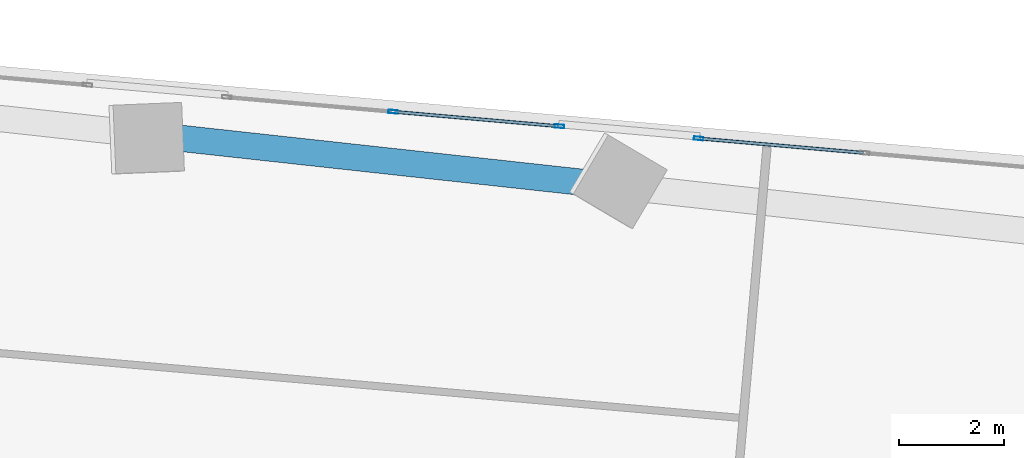
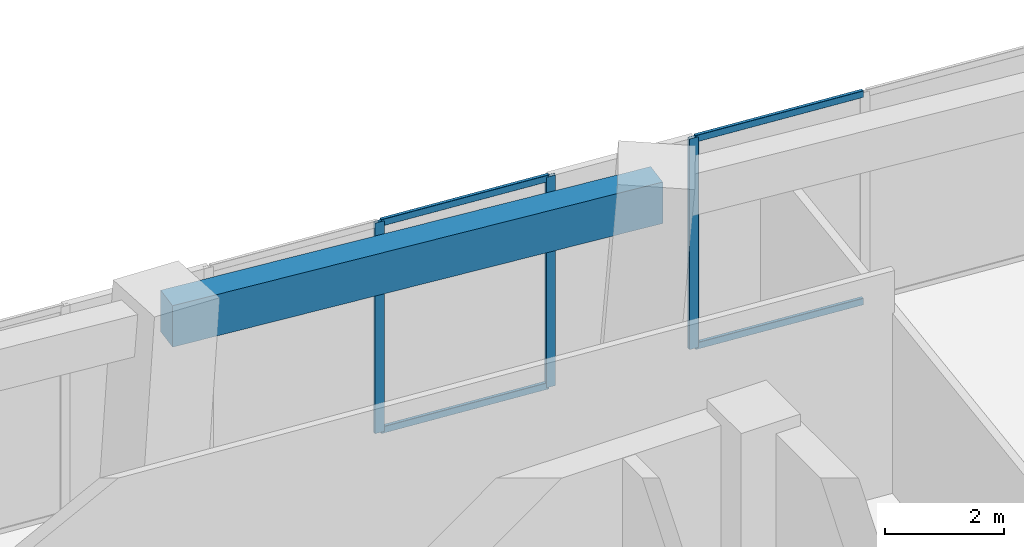
# One storey, part 16 of 24: 7 members, 1 beam, 2 elements without a shape of their own.
"""IFC4 building model written with IfcOpenShell, lengths in metres."""

from ifc_helpers import new_model, si_unit, direction, frame, origin, origin_2d, place, context, subcontext, project, spatial, rectangle, hollow_rectangle, extrude, source, transform, mapped, material, material_profile, profile_set, type_object, element, aggregate, save


model = new_model("IFC4")

# Units and contexts
model_context = context("Model", 3, precision=1e-05, world=origin(), true_north=direction((0.0, 1.0)))
body_context = subcontext(model_context, "Body", "Model", "MODEL_VIEW")
ifc_project = project(units=[si_unit("LENGTHUNIT", "METRE"), si_unit("AREAUNIT", "SQUARE_METRE"), si_unit("VOLUMEUNIT", "CUBIC_METRE"), si_unit("PLANEANGLEUNIT", "RADIAN"), si_unit("MASSUNIT", "GRAM", prefix="KILO")], contexts=[model_context])

# Site, building, storey
site_placement = place(None, origin())
site = spatial("IfcSite", under=ifc_project, at=site_placement, CompositionType="ELEMENT")
building_placement = place(site_placement, origin())
building = spatial("IfcBuilding", under=site, at=building_placement, Name="Torre Montelarca", CompositionType="ELEMENT")
storey_placement = place(building_placement, frame((0.0, 0.0, 52.0)))
storey = spatial("IfcBuildingStorey", under=building, at=storey_placement, Name="L11", CompositionType="ELEMENT", Elevation=52.0)

# Beam
ifc_material_1 = material(Name="Concrete C55/67", Category="concrete")
ifc_material_profile_1 = material_profile(ifc_material_1, rectangle(XDim=0.5, YDim=0.85009765625, at=origin_2d()), Name="RCB500X850", Category="concrete")
ifc_profile_set_1 = profile_set([ifc_material_profile_1], Name="Concrete C55/67")
beam_type = type_object("IfcBeamType", Name="BM-SP-RC850-EXT", PredefinedType="SPANDREL", material=ifc_profile_set_1)
shared_shape_1 = source(origin(), body_context, "Body", "SweptSolid", [
    extrude(rectangle(XDim=0.5, YDim=0.85009765625, at=origin_2d()), origin(), (0.0, 0.0, 1.0), 9.0),
])
beam_placement = place(storey_placement, frame((19.670166015625, 47.44091796875, 4.135009765625), z_axis=(0.994057160788, -0.108859363794, 0.0), x_axis=(0.108859363794, 0.994057160788, 0.0)))
element("IfcBeam", 1, at=beam_placement, inside=storey, type_object=beam_type, Name="L11 Grid Girder X 18.0-27.0 at Y=47.1", PredefinedType="SPANDREL", context=body_context, shape_type="MappedRepresentation", body=[
    mapped(shared_shape_1, transform((0.0, 0.0, 0.0), scale=1.0)),
])

# Curtain wall, member
ifc_material_2 = material(Name="Insulated low-E laminated glass", Category="glass")
curtain_wall_type = type_object("IfcCurtainWallType", Name="CW-SYS-Z1", PredefinedType="USERDEFINED", material=ifc_material_2)
curtain_wall_1_placement = place(storey_placement, origin())
curtain_wall_1 = element("IfcCurtainWall", 2, at=curtain_wall_1_placement, inside=storey, type_object=curtain_wall_type, Name="L11 Curtain Wall Run CW-T3-L11-E08-B2", ObjectType="UNITISED GLAZING", PredefinedType="USERDEFINED")
ifc_material_3 = material(Name="Anodised aluminium AA 6063-T6", Category="aluminium")
ifc_material_profile_2 = material_profile(ifc_material_3, hollow_rectangle(XDim=0.06494140625, YDim=0.179931640625, WallThickness=0.00390625, InnerFilletRadius=0.00390625, OuterFilletRadius=0.008056640625, at=origin_2d()), Name="ALU65X180X4", Category="aluminium")
ifc_profile_set_2 = profile_set([ifc_material_profile_2], Name="Anodised aluminium AA 6063-T6")
member_type_1 = type_object("IfcMemberType", Name="CWM-ALU180", PredefinedType="MULLION", material=ifc_profile_set_2)
shared_shape_2 = source(origin(), body_context, "Body", "SweptSolid", [
    extrude(hollow_rectangle(XDim=0.06494140625, YDim=0.179931640625, WallThickness=0.00390625, InnerFilletRadius=0.00390625, OuterFilletRadius=0.008056640625, at=origin_2d()), origin(), (0.0, 0.0, 1.0), 4.320068359375),
])
member_1_placement = place(storey_placement, frame((29.86572265625, 47.3994140625, 0.0), z_axis=(0.0, 0.0, 1.0), x_axis=(-0.087149922072, -0.996195207318, 0.0)))
member_1 = element("IfcMember", 3, at=member_1_placement, type_object=member_type_1, Name="CW mullion 3", PredefinedType="MULLION", context=body_context, shape_type="MappedRepresentation", body=[
    mapped(shared_shape_2, transform((0.0, 0.0, 0.0), scale=1.0)),
])

# Curtain wall, members
curtain_wall_2_placement = place(storey_placement, origin())
curtain_wall_2 = element("IfcCurtainWall", 4, at=curtain_wall_2_placement, inside=storey, type_object=curtain_wall_type, Name="L11 Curtain Wall Run CW-T3-L11-E08-B3", ObjectType="UNITISED GLAZING", PredefinedType="USERDEFINED")
member_2_placement = place(storey_placement, frame((27.2216796875, 47.630859375, 0.0), z_axis=(0.0, 0.0, 1.0), x_axis=(-0.087161530525, -0.99619419171, 0.0)))
member_2 = element("IfcMember", 5, at=member_2_placement, type_object=member_type_1, Name="CW mullion 1", PredefinedType="MULLION", context=body_context, shape_type="MappedRepresentation", body=[
    mapped(shared_shape_2, transform((0.0, 0.0, 0.0), scale=1.0)),
])
member_3_placement = place(storey_placement, frame((24.061767578125, 47.9072265625, 0.0), z_axis=(0.0, 0.0, 1.0), x_axis=(-0.087161530525, -0.99619419171, 0.0)))
member_3 = element("IfcMember", 6, at=member_3_placement, type_object=member_type_1, Name="CW mullion 2", PredefinedType="MULLION", context=body_context, shape_type="MappedRepresentation", body=[
    mapped(shared_shape_2, transform((0.0, 0.0, 0.0), scale=1.0)),
])

# Member
ifc_material_profile_3 = material_profile(ifc_material_3, hollow_rectangle(XDim=0.06494140625, YDim=0.139892578125, WallThickness=0.00390625, InnerFilletRadius=0.00390625, OuterFilletRadius=0.008056640625, at=origin_2d()), Name="ALU65X140X4", Category="aluminium")
ifc_profile_set_3 = profile_set([ifc_material_profile_3], Name="Anodised aluminium AA 6063-T6")
member_type_2 = type_object("IfcMemberType", Name="CWT-ALU140", PredefinedType="USERDEFINED", material=ifc_profile_set_3)
shared_shape_3 = source(origin(), body_context, "Body", "SweptSolid", [
    extrude(hollow_rectangle(XDim=0.06494140625, YDim=0.139892578125, WallThickness=0.00390625, InnerFilletRadius=0.00390625, OuterFilletRadius=0.008056640625, at=origin_2d()), origin(), (0.0, 0.0, 1.0), 3.10791015625),
])
member_4_placement = place(storey_placement, frame((32.994140625, 47.125732421875, 0.032470703125), z_axis=(-0.996191500335, 0.087192285552, 0.0), x_axis=(-0.087192285552, -0.996191500335, 0.0)))
member_4 = element("IfcMember", 7, at=member_4_placement, type_object=member_type_2, Name="CW transom 2.1", ObjectType="TRANSOM", PredefinedType="USERDEFINED", context=body_context, shape_type="MappedRepresentation", body=[
    mapped(shared_shape_3, transform((0.0, 0.0, 0.0), scale=1.0)),
])

member_5_placement = place(storey_placement, frame((32.994140625, 47.125732421875, 4.28759765625), z_axis=(-0.996191500335, 0.087192285552, 0.0), x_axis=(-0.087192285552, -0.996191500335, 0.0)))
member_5 = element("IfcMember", 8, at=member_5_placement, type_object=member_type_2, Name="CW transom 2.2", ObjectType="TRANSOM", PredefinedType="USERDEFINED", context=body_context, shape_type="MappedRepresentation", body=[
    mapped(shared_shape_3, transform((0.0, 0.0, 0.0), scale=1.0)),
])

aggregate(curtain_wall_1, [member_1, member_4, member_5])

shared_shape_4 = source(origin(), body_context, "Body", "SweptSolid", [
    extrude(hollow_rectangle(XDim=0.06494140625, YDim=0.139892578125, WallThickness=0.00390625, InnerFilletRadius=0.00390625, OuterFilletRadius=0.008056640625, at=origin_2d()), origin(), (0.0, 0.0, 1.0), 3.10693359375),
])
member_6_placement = place(storey_placement, frame((27.189208984375, 47.633544921875, 0.032470703125), z_axis=(-0.996188512641, 0.087226413902, 0.0), x_axis=(-0.087226413902, -0.996188512641, 0.0)))
member_6 = element("IfcMember", 9, at=member_6_placement, type_object=member_type_2, Name="CW transom 1.1", ObjectType="TRANSOM", PredefinedType="USERDEFINED", context=body_context, shape_type="MappedRepresentation", body=[
    mapped(shared_shape_4, transform((0.0, 0.0, 0.0), scale=1.0)),
])

member_7_placement = place(storey_placement, frame((27.189208984375, 47.633544921875, 4.28759765625), z_axis=(-0.996188512641, 0.087226413902, 0.0), x_axis=(-0.087226413902, -0.996188512641, 0.0)))
member_7 = element("IfcMember", 10, at=member_7_placement, type_object=member_type_2, Name="CW transom 1.2", ObjectType="TRANSOM", PredefinedType="USERDEFINED", context=body_context, shape_type="MappedRepresentation", body=[
    mapped(shared_shape_4, transform((0.0, 0.0, 0.0), scale=1.0)),
])

aggregate(curtain_wall_2, [member_2, member_3, member_6, member_7])

save(model, "model.ifc")
